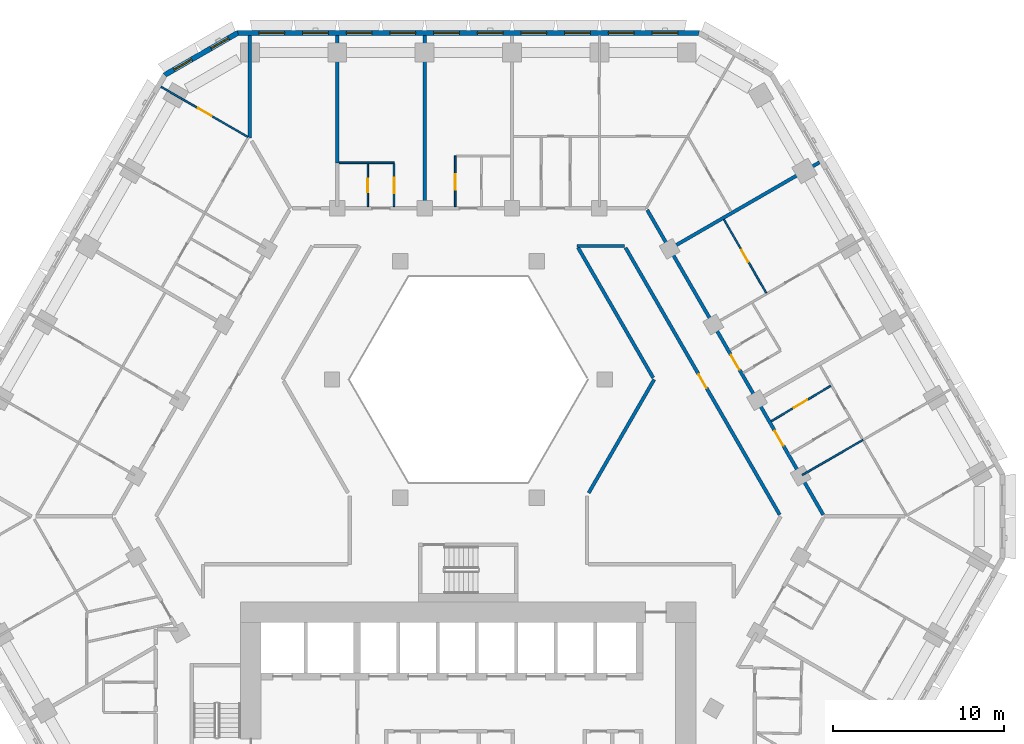
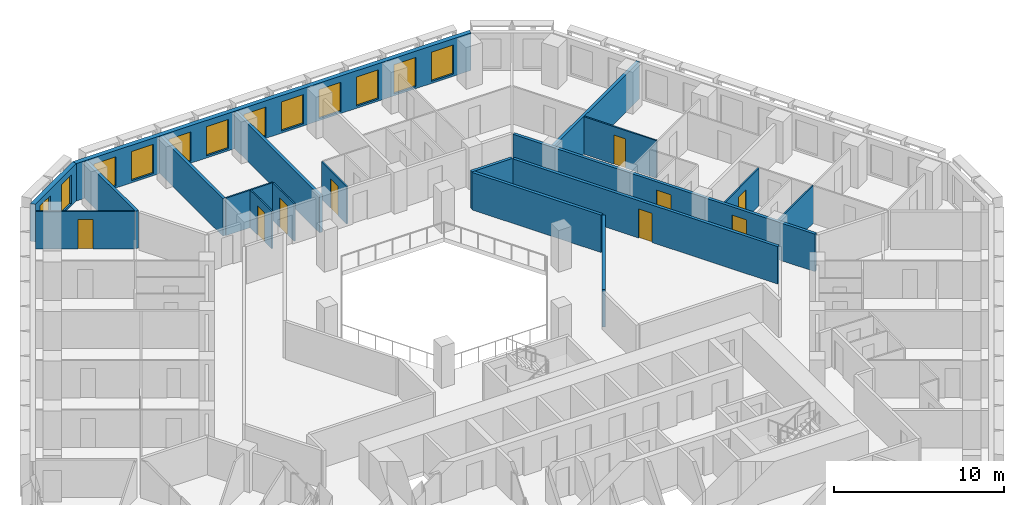
# One storey, part 10 of 21: 19 walls, 12 windows, 9 doors, 21 openings.
"""IFC4 building model written with IfcOpenShell, lengths in metres."""

from ifc_helpers import new_model, si_unit, direction, frame, frame_2d, origin, place, context, subcontext, project, spatial, polyline, rectangle, outline, extrude, material, layer, layer_set, type_object, element, fill, save


model = new_model("IFC4")

# Units and contexts
model_context = context("Model", 3, precision=1e-05, world=origin(), true_north=direction((0.0, 1.0)))
body_context = subcontext(model_context, "Body", "Model", "MODEL_VIEW")
ifc_project = project(units=[si_unit("LENGTHUNIT", "METRE"), si_unit("AREAUNIT", "SQUARE_METRE"), si_unit("VOLUMEUNIT", "CUBIC_METRE"), si_unit("PLANEANGLEUNIT", "RADIAN"), si_unit("MASSUNIT", "GRAM", prefix="KILO")], contexts=[model_context])

# Site, building, storey
site_placement = place(None, origin())
site = spatial("IfcSite", under=ifc_project, at=site_placement, CompositionType="ELEMENT")
building_placement = place(site_placement, origin())
building = spatial("IfcBuilding", under=site, at=building_placement, Name="Beryl Residences", CompositionType="ELEMENT")
storey_placement = place(building_placement, frame((0.0, 0.0, 29.39990234375)))
storey = spatial("IfcBuildingStorey", under=building, at=storey_placement, Name="L08", CompositionType="ELEMENT", Elevation=29.39990234375)

# Wall, openings, windows
ifc_material_1 = material(Name="Composite metal panel with mineral wool insulation")
ifc_layer_1 = layer(ifc_material_1, 0.300048828125)
ifc_layer_set_1 = layer_set([ifc_layer_1], Name="ES1 pale metal composite panel wall 300 mm")
wall_type_1 = type_object("IfcWallType", Name="ES1 pale metal composite panel wall 300 mm", PredefinedType="SOLIDWALL", material=ifc_layer_set_1)
wall_1_placement = place(storey_placement, frame((13.510009765625, 28.25, 0.0), z_axis=(0.0, 0.0, 1.0), x_axis=(-1.0, 0.0, 0.0)))
wall_1 = element("IfcWall", 1, at=wall_1_placement, inside=storey, type_object=wall_type_1, Name="ES1 external wall L08 N", PredefinedType="SOLIDWALL", context=body_context, shape_type="SweptSolid", body=[
    extrude(outline(polyline([(0.0, -0.14990234375), (27.02001953125, -0.14990234375), (26.939697265625, 0.14990234375), (0.080322265625, 0.14990234375), (0.0, -0.14990234375)])), origin(), (0.0, 0.0, 1.0), 2.7001953125),
])
opening_1_placement = place(wall_1_placement, frame((1.277099609375, 0.0, 0.14990234375)))
opening_1 = element("IfcOpeningElement", 2, at=opening_1_placement, cuts=wall_1, Name="Opening W1", PredefinedType="OPENING", context=body_context, shape_type="SweptSolid", body=[
    extrude(rectangle(XDim=1.5, YDim=2.10009765625, at=frame_2d((0.75, 1.050048828125))), frame((0.0, 0.159912109375, 0.0), z_axis=(0.0, -1.0, 0.0), x_axis=(1.0, 0.0, 0.0)), (0.0, 0.0, 1.0), 0.320068359375),
])
opening_2_placement = place(wall_1_placement, frame((3.8291015625, 0.0, 0.14990234375)))
opening_2 = element("IfcOpeningElement", 3, at=opening_2_placement, cuts=wall_1, Name="Opening W1", PredefinedType="OPENING", context=body_context, shape_type="SweptSolid", body=[
    extrude(rectangle(XDim=1.5, YDim=2.10009765625, at=frame_2d((0.75, 1.050048828125))), frame((0.0, 0.159912109375, 0.0), z_axis=(0.0, -1.0, 0.0), x_axis=(1.0, 0.0, 0.0)), (0.0, 0.0, 1.0), 0.320068359375),
])
opening_3_placement = place(wall_1_placement, frame((6.381103515625, 0.0, 0.14990234375)))
opening_3 = element("IfcOpeningElement", 4, at=opening_3_placement, cuts=wall_1, Name="Opening W1", PredefinedType="OPENING", context=body_context, shape_type="SweptSolid", body=[
    extrude(rectangle(XDim=1.5, YDim=2.10009765625, at=frame_2d((0.75, 1.050048828125))), frame((0.0, 0.159912109375, 0.0), z_axis=(0.0, -1.0, 0.0), x_axis=(1.0, 0.0, 0.0)), (0.0, 0.0, 1.0), 0.320068359375),
])
opening_4_placement = place(wall_1_placement, frame((8.93310546875, 0.0, 0.14990234375)))
opening_4 = element("IfcOpeningElement", 5, at=opening_4_placement, cuts=wall_1, Name="Opening W1", PredefinedType="OPENING", context=body_context, shape_type="SweptSolid", body=[
    extrude(rectangle(XDim=1.5, YDim=2.10009765625, at=frame_2d((0.75, 1.050048828125))), frame((0.0, 0.159912109375, 0.0), z_axis=(0.0, -1.0, 0.0), x_axis=(1.0, 0.0, 0.0)), (0.0, 0.0, 1.0), 0.320068359375),
])
opening_5_placement = place(wall_1_placement, frame((11.485107421875, 0.0, 0.14990234375)))
opening_5 = element("IfcOpeningElement", 6, at=opening_5_placement, cuts=wall_1, Name="Opening W1", PredefinedType="OPENING", context=body_context, shape_type="SweptSolid", body=[
    extrude(rectangle(XDim=1.5, YDim=2.10009765625, at=frame_2d((0.75, 1.050048828125))), frame((0.0, 0.159912109375, 0.0), z_axis=(0.0, -1.0, 0.0), x_axis=(1.0, 0.0, 0.0)), (0.0, 0.0, 1.0), 0.320068359375),
])
opening_6_placement = place(wall_1_placement, frame((14.037109375, 0.0, 0.14990234375)))
opening_6 = element("IfcOpeningElement", 7, at=opening_6_placement, cuts=wall_1, Name="Opening W1", PredefinedType="OPENING", context=body_context, shape_type="SweptSolid", body=[
    extrude(rectangle(XDim=1.5, YDim=2.10009765625, at=frame_2d((0.75, 1.050048828125))), frame((0.0, 0.159912109375, 0.0), z_axis=(0.0, -1.0, 0.0), x_axis=(1.0, 0.0, 0.0)), (0.0, 0.0, 1.0), 0.320068359375),
])
opening_7_placement = place(wall_1_placement, frame((16.589111328125, 0.0, 0.14990234375)))
opening_7 = element("IfcOpeningElement", 8, at=opening_7_placement, cuts=wall_1, Name="Opening W1", PredefinedType="OPENING", context=body_context, shape_type="SweptSolid", body=[
    extrude(rectangle(XDim=1.5, YDim=2.10009765625, at=frame_2d((0.75, 1.050048828125))), frame((0.0, 0.159912109375, 0.0), z_axis=(0.0, -1.0, 0.0), x_axis=(1.0, 0.0, 0.0)), (0.0, 0.0, 1.0), 0.320068359375),
])
opening_8_placement = place(wall_1_placement, frame((19.14111328125, 0.0, 0.14990234375)))
opening_8 = element("IfcOpeningElement", 9, at=opening_8_placement, cuts=wall_1, Name="Opening W1", PredefinedType="OPENING", context=body_context, shape_type="SweptSolid", body=[
    extrude(rectangle(XDim=1.5, YDim=2.10009765625, at=frame_2d((0.75, 1.050048828125))), frame((0.0, 0.159912109375, 0.0), z_axis=(0.0, -1.0, 0.0), x_axis=(1.0, 0.0, 0.0)), (0.0, 0.0, 1.0), 0.320068359375),
])
opening_9_placement = place(wall_1_placement, frame((21.693115234375, 0.0, 0.14990234375)))
opening_9 = element("IfcOpeningElement", 10, at=opening_9_placement, cuts=wall_1, Name="Opening W1", PredefinedType="OPENING", context=body_context, shape_type="SweptSolid", body=[
    extrude(rectangle(XDim=1.5, YDim=2.10009765625, at=frame_2d((0.75, 1.050048828125))), frame((0.0, 0.159912109375, 0.0), z_axis=(0.0, -1.0, 0.0), x_axis=(1.0, 0.0, 0.0)), (0.0, 0.0, 1.0), 0.320068359375),
])
opening_10_placement = place(wall_1_placement, frame((24.2451171875, 0.0, 0.14990234375)))
opening_10 = element("IfcOpeningElement", 11, at=opening_10_placement, cuts=wall_1, Name="Opening W1", PredefinedType="OPENING", context=body_context, shape_type="SweptSolid", body=[
    extrude(rectangle(XDim=1.5, YDim=2.10009765625, at=frame_2d((0.75, 1.050048828125))), frame((0.0, 0.159912109375, 0.0), z_axis=(0.0, -1.0, 0.0), x_axis=(1.0, 0.0, 0.0)), (0.0, 0.0, 1.0), 0.320068359375),
])
ifc_material_2 = material(Name="Aluminium and clear glass", Category="aluminium")
window_type_1 = type_object("IfcWindowType", Name="W1 cell window 1500 x 2100 mm", PartitioningType="SINGLE_PANEL", PredefinedType="WINDOW", material=ifc_material_2)
window_1_placement = place(opening_1_placement, origin())
window_1 = element("IfcWindow", 12, at=window_1_placement, inside=storey, type_object=window_type_1, Name="W1 window L08 N 1", OverallHeight=2.10009765625, OverallWidth=1.5, PartitioningType="SINGLE_PANEL", PredefinedType="WINDOW", context=body_context, shape_type="SweptSolid", body=[
    extrude(rectangle(XDim=1.5, YDim=2.10009765625, at=frame_2d((0.75, 1.050048828125))), frame((0.0, 0.030029296875, 0.0), z_axis=(0.0, -1.0, 0.0), x_axis=(1.0, 0.0, 0.0)), (0.0, 0.0, 1.0), 0.06005859375),
])
fill(opening_1, window_1)
window_2_placement = place(opening_2_placement, origin())
window_2 = element("IfcWindow", 13, at=window_2_placement, inside=storey, type_object=window_type_1, Name="W1 window L08 N 2", OverallHeight=2.10009765625, OverallWidth=1.5, PartitioningType="SINGLE_PANEL", PredefinedType="WINDOW", context=body_context, shape_type="SweptSolid", body=[
    extrude(rectangle(XDim=1.5, YDim=2.10009765625, at=frame_2d((0.75, 1.050048828125))), frame((0.0, 0.030029296875, 0.0), z_axis=(0.0, -1.0, 0.0), x_axis=(1.0, 0.0, 0.0)), (0.0, 0.0, 1.0), 0.06005859375),
])
fill(opening_2, window_2)
window_3_placement = place(opening_3_placement, origin())
window_3 = element("IfcWindow", 14, at=window_3_placement, inside=storey, type_object=window_type_1, Name="W1 window L08 N 3", OverallHeight=2.10009765625, OverallWidth=1.5, PartitioningType="SINGLE_PANEL", PredefinedType="WINDOW", context=body_context, shape_type="SweptSolid", body=[
    extrude(rectangle(XDim=1.5, YDim=2.10009765625, at=frame_2d((0.75, 1.050048828125))), frame((0.0, 0.030029296875, 0.0), z_axis=(0.0, -1.0, 0.0), x_axis=(1.0, 0.0, 0.0)), (0.0, 0.0, 1.0), 0.06005859375),
])
fill(opening_3, window_3)
window_4_placement = place(opening_4_placement, origin())
window_4 = element("IfcWindow", 15, at=window_4_placement, inside=storey, type_object=window_type_1, Name="W1 window L08 N 4", OverallHeight=2.10009765625, OverallWidth=1.5, PartitioningType="SINGLE_PANEL", PredefinedType="WINDOW", context=body_context, shape_type="SweptSolid", body=[
    extrude(rectangle(XDim=1.5, YDim=2.10009765625, at=frame_2d((0.75, 1.050048828125))), frame((0.0, 0.030029296875, 0.0), z_axis=(0.0, -1.0, 0.0), x_axis=(1.0, 0.0, 0.0)), (0.0, 0.0, 1.0), 0.06005859375),
])
fill(opening_4, window_4)
window_5_placement = place(opening_5_placement, origin())
window_5 = element("IfcWindow", 16, at=window_5_placement, inside=storey, type_object=window_type_1, Name="W1 window L08 N 5", OverallHeight=2.10009765625, OverallWidth=1.5, PartitioningType="SINGLE_PANEL", PredefinedType="WINDOW", context=body_context, shape_type="SweptSolid", body=[
    extrude(rectangle(XDim=1.5, YDim=2.10009765625, at=frame_2d((0.75, 1.050048828125))), frame((0.0, 0.030029296875, 0.0), z_axis=(0.0, -1.0, 0.0), x_axis=(1.0, 0.0, 0.0)), (0.0, 0.0, 1.0), 0.06005859375),
])
fill(opening_5, window_5)
window_6_placement = place(opening_6_placement, origin())
window_6 = element("IfcWindow", 17, at=window_6_placement, inside=storey, type_object=window_type_1, Name="W1 window L08 N 6", OverallHeight=2.10009765625, OverallWidth=1.5, PartitioningType="SINGLE_PANEL", PredefinedType="WINDOW", context=body_context, shape_type="SweptSolid", body=[
    extrude(rectangle(XDim=1.5, YDim=2.10009765625, at=frame_2d((0.75, 1.050048828125))), frame((0.0, 0.030029296875, 0.0), z_axis=(0.0, -1.0, 0.0), x_axis=(1.0, 0.0, 0.0)), (0.0, 0.0, 1.0), 0.06005859375),
])
fill(opening_6, window_6)
window_7_placement = place(opening_7_placement, origin())
window_7 = element("IfcWindow", 18, at=window_7_placement, inside=storey, type_object=window_type_1, Name="W1 window L08 N 7", OverallHeight=2.10009765625, OverallWidth=1.5, PartitioningType="SINGLE_PANEL", PredefinedType="WINDOW", context=body_context, shape_type="SweptSolid", body=[
    extrude(rectangle(XDim=1.5, YDim=2.10009765625, at=frame_2d((0.75, 1.050048828125))), frame((0.0, 0.030029296875, 0.0), z_axis=(0.0, -1.0, 0.0), x_axis=(1.0, 0.0, 0.0)), (0.0, 0.0, 1.0), 0.06005859375),
])
fill(opening_7, window_7)
window_8_placement = place(opening_8_placement, origin())
window_8 = element("IfcWindow", 19, at=window_8_placement, inside=storey, type_object=window_type_1, Name="W1 window L08 N 8", OverallHeight=2.10009765625, OverallWidth=1.5, PartitioningType="SINGLE_PANEL", PredefinedType="WINDOW", context=body_context, shape_type="SweptSolid", body=[
    extrude(rectangle(XDim=1.5, YDim=2.10009765625, at=frame_2d((0.75, 1.050048828125))), frame((0.0, 0.030029296875, 0.0), z_axis=(0.0, -1.0, 0.0), x_axis=(1.0, 0.0, 0.0)), (0.0, 0.0, 1.0), 0.06005859375),
])
fill(opening_8, window_8)
window_9_placement = place(opening_9_placement, origin())
window_9 = element("IfcWindow", 20, at=window_9_placement, inside=storey, type_object=window_type_1, Name="W1 window L08 N 9", OverallHeight=2.10009765625, OverallWidth=1.5, PartitioningType="SINGLE_PANEL", PredefinedType="WINDOW", context=body_context, shape_type="SweptSolid", body=[
    extrude(rectangle(XDim=1.5, YDim=2.10009765625, at=frame_2d((0.75, 1.050048828125))), frame((0.0, 0.030029296875, 0.0), z_axis=(0.0, -1.0, 0.0), x_axis=(1.0, 0.0, 0.0)), (0.0, 0.0, 1.0), 0.06005859375),
])
fill(opening_9, window_9)
window_10_placement = place(opening_10_placement, origin())
window_10 = element("IfcWindow", 21, at=window_10_placement, inside=storey, type_object=window_type_1, Name="W1 window L08 N 10", OverallHeight=2.10009765625, OverallWidth=1.5, PartitioningType="SINGLE_PANEL", PredefinedType="WINDOW", context=body_context, shape_type="SweptSolid", body=[
    extrude(rectangle(XDim=1.5, YDim=2.10009765625, at=frame_2d((0.75, 1.050048828125))), frame((0.0, 0.030029296875, 0.0), z_axis=(0.0, -1.0, 0.0), x_axis=(1.0, 0.0, 0.0)), (0.0, 0.0, 1.0), 0.06005859375),
])
fill(opening_10, window_10)

wall_2_placement = place(storey_placement, frame((-13.43505859375, 28.27001953125, 0.0), z_axis=(0.0, 0.0, 1.0), x_axis=(-0.866010750942, -0.50002537861, 0.0)))
wall_2 = element("IfcWall", 22, at=wall_2_placement, inside=storey, type_object=wall_type_1, Name="ES1 external wall L08 N-NW", PredefinedType="SOLIDWALL", context=body_context, shape_type="SweptSolid", body=[
    extrude(outline(polyline([(0.0, -0.14990234375), (4.999755859375, -0.14990234375), (4.91943359375, 0.14990234375), (0.080322265625, 0.14990234375), (0.0, -0.14990234375)])), origin(), (0.0, 0.0, 1.0), 2.7001953125),
])
opening_11_placement = place(wall_2_placement, frame((0.64990234375, 0.0, 0.14990234375)))
opening_11 = element("IfcOpeningElement", 23, at=opening_11_placement, cuts=wall_2, Name="Opening W2", PredefinedType="OPENING", context=body_context, shape_type="SweptSolid", body=[
    extrude(rectangle(XDim=1.199951171875, YDim=2.10009765625, at=frame_2d((0.60009765625, 1.050048828125))), frame((0.0, 0.159912109375, 0.0), z_axis=(0.0, -1.0, 0.0), x_axis=(1.0, 0.0, 0.0)), (0.0, 0.0, 1.0), 0.320068359375),
])
opening_12_placement = place(wall_2_placement, frame((3.14892578125, 0.0, 0.14990234375)))
opening_12 = element("IfcOpeningElement", 24, at=opening_12_placement, cuts=wall_2, Name="Opening W2", PredefinedType="OPENING", context=body_context, shape_type="SweptSolid", body=[
    extrude(rectangle(XDim=1.199951171875, YDim=2.10009765625, at=frame_2d((0.60009765625, 1.050048828125))), frame((0.0, 0.159912109375, 0.0), z_axis=(0.0, -1.0, 0.0), x_axis=(1.0, 0.0, 0.0)), (0.0, 0.0, 1.0), 0.320068359375),
])
ifc_material_3 = material(Name="Aluminium and clear glass", Category="aluminium")
window_type_2 = type_object("IfcWindowType", Name="W2 chamfer window 1200 x 2100 mm", PartitioningType="SINGLE_PANEL", PredefinedType="WINDOW", material=ifc_material_3)
window_11_placement = place(opening_11_placement, origin())
window_11 = element("IfcWindow", 25, at=window_11_placement, inside=storey, type_object=window_type_2, Name="W2 window L08 N-NW 1", OverallHeight=2.10009765625, OverallWidth=1.199951171875, PartitioningType="SINGLE_PANEL", PredefinedType="WINDOW", context=body_context, shape_type="SweptSolid", body=[
    extrude(rectangle(XDim=1.199951171875, YDim=2.10009765625, at=frame_2d((0.60009765625, 1.050048828125))), frame((0.0, 0.030029296875, 0.0), z_axis=(0.0, -1.0, 0.0), x_axis=(1.0, 0.0, 0.0)), (0.0, 0.0, 1.0), 0.06005859375),
])
fill(opening_11, window_11)
window_12_placement = place(opening_12_placement, origin())
window_12 = element("IfcWindow", 26, at=window_12_placement, inside=storey, type_object=window_type_2, Name="W2 window L08 N-NW 2", OverallHeight=2.10009765625, OverallWidth=1.199951171875, PartitioningType="SINGLE_PANEL", PredefinedType="WINDOW", context=body_context, shape_type="SweptSolid", body=[
    extrude(rectangle(XDim=1.199951171875, YDim=2.10009765625, at=frame_2d((0.60009765625, 1.050048828125))), frame((0.0, 0.030029296875, 0.0), z_axis=(0.0, -1.0, 0.0), x_axis=(1.0, 0.0, 0.0)), (0.0, 0.0, 1.0), 0.06005859375),
])
fill(opening_12, window_12)

# Wall, opening, door
ifc_material_4 = material(Name="Gypsum board partition on steel studs", Category="steel")
ifc_layer_2 = layer(ifc_material_4, 0.10009765625)
ifc_layer_set_2 = layer_set([ifc_layer_2], Name="PT1 partition 100 mm gypsum board on steel studs")
wall_type_2 = type_object("IfcWallType", Name="PT1 partition 100 mm gypsum board on steel studs", PredefinedType="PARTITIONING", material=ifc_layer_set_2)
wall_3_placement = place(storey_placement, frame((14.927978515625, 17.343994140625, 0.0), z_axis=(0.0, 0.0, 1.0), x_axis=(0.499881743012, -0.866093668724, 0.0)))
wall_3 = element("IfcWall", 27, at=wall_3_placement, inside=storey, type_object=wall_type_2, Name="Wall PT1 L08 003", PredefinedType="PARTITIONING", context=body_context, shape_type="SweptSolid", body=[
    extrude(rectangle(XDim=4.953369140625, YDim=0.10009765625, at=frame_2d((2.4765625, 0.0))), origin(), (0.0, 0.0, 1.0), 2.7001953125),
])
opening_13_placement = place(wall_3_placement, frame((2.052001953125, 0.0, 0.0)))
opening_13 = element("IfcOpeningElement", 28, at=opening_13_placement, cuts=wall_3, Name="Opening D0140", PredefinedType="OPENING", context=body_context, shape_type="SweptSolid", body=[
    extrude(rectangle(XDim=0.800048828125, YDim=2.10009765625, at=frame_2d((0.39990234375, 1.050048828125))), frame((0.0, 0.06005859375, 0.0), z_axis=(0.0, -1.0, 0.0), x_axis=(1.0, 0.0, 0.0)), (0.0, 0.0, 1.0), 0.1201171875),
])
ifc_material_5 = material(Name="Timber door leaf", Category="wood")
door_type_1 = type_object("IfcDoorType", Name="D3 bathroom door 800 x 2100 mm", OperationType="SINGLE_SWING_LEFT", PredefinedType="DOOR", material=ifc_material_5)
door_1_placement = place(opening_13_placement, origin())
door_1 = element("IfcDoor", 29, at=door_1_placement, inside=storey, type_object=door_type_1, Name="Door D0140 L08 001", OperationType="SINGLE_SWING_RIGHT", OverallHeight=2.10009765625, OverallWidth=0.800048828125, PredefinedType="DOOR", context=body_context, shape_type="SweptSolid", body=[
    extrude(rectangle(XDim=0.800048828125, YDim=2.10009765625, at=frame_2d((0.39990234375, 1.050048828125))), frame((0.0, 0.02490234375, 0.0), z_axis=(0.0, -1.0, 0.0), x_axis=(1.0, 0.0, 0.0)), (0.0, 0.0, 1.0), 0.050048828125),
])
fill(opening_13, door_1)

wall_4_placement = place(storey_placement, frame((-4.339111328125, 20.60888671875, 0.0), z_axis=(0.0, 0.0, 1.0), x_axis=(0.0, -1.0, 0.0)))
wall_4 = element("IfcWall", 30, at=wall_4_placement, inside=storey, type_object=wall_type_2, Name="Wall PT1 L08 007", PredefinedType="PARTITIONING", context=body_context, shape_type="SweptSolid", body=[
    extrude(rectangle(XDim=2.5087890625, YDim=0.10009765625, at=frame_2d((1.25439453125, 0.0))), origin(), (0.0, 0.0, 1.0), 2.7001953125),
])
opening_14_placement = place(wall_4_placement, frame((0.8291015625, 0.0, 0.0)))
opening_14 = element("IfcOpeningElement", 31, at=opening_14_placement, cuts=wall_4, Name="Opening D0153", PredefinedType="OPENING", context=body_context, shape_type="SweptSolid", body=[
    extrude(rectangle(XDim=0.89990234375, YDim=2.10009765625, at=frame_2d((0.449951171875, 1.050048828125))), frame((0.0, 0.06005859375, 0.0), z_axis=(0.0, -1.0, 0.0), x_axis=(1.0, 0.0, 0.0)), (0.0, 0.0, 1.0), 0.1201171875),
])
ifc_material_6 = material(Name="Timber door leaf", Category="wood")
door_type_2 = type_object("IfcDoorType", Name="D2 room door 900 x 2100 mm", OperationType="SINGLE_SWING_LEFT", PredefinedType="DOOR", material=ifc_material_6)
door_2_placement = place(opening_14_placement, origin())
door_2 = element("IfcDoor", 32, at=door_2_placement, inside=storey, type_object=door_type_2, Name="Door D0153 L08 001", OperationType="SINGLE_SWING_LEFT", OverallHeight=2.10009765625, OverallWidth=0.89990234375, PredefinedType="DOOR", context=body_context, shape_type="SweptSolid", body=[
    extrude(rectangle(XDim=0.89990234375, YDim=2.10009765625, at=frame_2d((0.449951171875, 1.050048828125))), frame((0.0, 0.02490234375, 0.0), z_axis=(0.0, -1.0, 0.0), x_axis=(1.0, 0.0, 0.0)), (0.0, 0.0, 1.0), 0.050048828125),
])
fill(opening_14, door_2)

wall_5_placement = place(storey_placement, frame((-17.955078125, 25.09912109375, 0.0), z_axis=(0.0, 0.0, 1.0), x_axis=(0.866069217599, -0.499924104568, 0.0)))
wall_5 = element("IfcWall", 33, at=wall_5_placement, inside=storey, type_object=wall_type_2, Name="Wall PT1 L08 023", PredefinedType="PARTITIONING", context=body_context, shape_type="SweptSolid", body=[
    extrude(rectangle(XDim=5.869140625, YDim=0.10009765625, at=frame_2d((2.9345703125, 0.0))), origin(), (0.0, 0.0, 1.0), 2.7001953125),
])
opening_15_placement = place(wall_5_placement, frame((2.510009765625, 0.0, 0.0)))
opening_15 = element("IfcOpeningElement", 34, at=opening_15_placement, cuts=wall_5, Name="Opening D0161", PredefinedType="OPENING", context=body_context, shape_type="SweptSolid", body=[
    extrude(rectangle(XDim=0.89990234375, YDim=2.10009765625, at=frame_2d((0.449951171875, 1.050048828125))), frame((0.0, 0.06005859375, 0.0), z_axis=(0.0, -1.0, 0.0), x_axis=(1.0, 0.0, 0.0)), (0.0, 0.0, 1.0), 0.1201171875),
])
door_3_placement = place(opening_15_placement, origin())
door_3 = element("IfcDoor", 35, at=door_3_placement, inside=storey, type_object=door_type_2, Name="Door D0161 L08 001", OperationType="SINGLE_SWING_LEFT", OverallHeight=2.10009765625, OverallWidth=0.89990234375, PredefinedType="DOOR", context=body_context, shape_type="SweptSolid", body=[
    extrude(rectangle(XDim=0.89990234375, YDim=2.10009765625, at=frame_2d((0.449951171875, 1.050048828125))), frame((0.0, 0.02490234375, 0.0), z_axis=(0.0, -1.0, 0.0), x_axis=(1.0, 0.0, 0.0)), (0.0, 0.0, 1.0), 0.050048828125),
])
fill(opening_15, door_3)

# Wall
wall_6_placement = place(storey_placement, frame((-7.556884765625, 20.659912109375, 0.0), z_axis=(0.0, 0.0, 1.0), x_axis=(1.0, 0.0, 0.0)))
element("IfcWall", 36, at=wall_6_placement, inside=storey, type_object=wall_type_2, Name="Wall PT1 L08 032", PredefinedType="PARTITIONING", context=body_context, shape_type="SweptSolid", body=[
    extrude(rectangle(XDim=3.216796875, YDim=0.10009765625, at=frame_2d((1.6083984375, 0.0))), origin(), (0.0, 0.0, 1.0), 2.7001953125),
])

# Wall, opening, door
wall_7_placement = place(storey_placement, frame((-5.87109375, 18.10009765625, 0.0), z_axis=(0.0, 0.0, 1.0), x_axis=(0.0, 1.0, 0.0)))
wall_7 = element("IfcWall", 37, at=wall_7_placement, inside=storey, type_object=wall_type_2, Name="Wall PT1 L08 053", PredefinedType="PARTITIONING", context=body_context, shape_type="SweptSolid", body=[
    extrude(rectangle(XDim=2.510009765625, YDim=0.10009765625, at=frame_2d((1.2548828125, 0.0))), origin(), (0.0, 0.0, 1.0), 2.7001953125),
])
opening_16_placement = place(wall_7_placement, frame((0.830078125, 0.0, 0.0)))
opening_16 = element("IfcOpeningElement", 38, at=opening_16_placement, cuts=wall_7, Name="Opening D0154", PredefinedType="OPENING", context=body_context, shape_type="SweptSolid", body=[
    extrude(rectangle(XDim=0.800048828125, YDim=2.10009765625, at=frame_2d((0.39990234375, 1.050048828125))), frame((0.0, 0.06005859375, 0.0), z_axis=(0.0, -1.0, 0.0), x_axis=(1.0, 0.0, 0.0)), (0.0, 0.0, 1.0), 0.1201171875),
])
door_4_placement = place(opening_16_placement, origin())
door_4 = element("IfcDoor", 39, at=door_4_placement, inside=storey, type_object=door_type_1, Name="Door D0154 L08 001", OperationType="SINGLE_SWING_RIGHT", OverallHeight=2.10009765625, OverallWidth=0.800048828125, PredefinedType="DOOR", context=body_context, shape_type="SweptSolid", body=[
    extrude(rectangle(XDim=0.800048828125, YDim=2.10009765625, at=frame_2d((0.39990234375, 1.050048828125))), frame((0.0, 0.02490234375, 0.0), z_axis=(0.0, -1.0, 0.0), x_axis=(1.0, 0.0, 0.0)), (0.0, 0.0, 1.0), 0.050048828125),
])
fill(opening_16, door_4)

wall_8_placement = place(storey_placement, frame((-0.76708984375, 18.10009765625, 0.0), z_axis=(0.0, 0.0, 1.0), x_axis=(0.0, 1.0, 0.0)))
wall_8 = element("IfcWall", 40, at=wall_8_placement, inside=storey, type_object=wall_type_2, Name="Wall PT1 L08 055", PredefinedType="PARTITIONING", context=body_context, shape_type="SweptSolid", body=[
    extrude(rectangle(XDim=2.958984375, YDim=0.10009765625, at=frame_2d((1.4794921875, 0.0))), origin(), (0.0, 0.0, 1.0), 2.7001953125),
])
opening_17_placement = place(wall_8_placement, frame((0.97998046875, 0.0, 0.0)))
opening_17 = element("IfcOpeningElement", 41, at=opening_17_placement, cuts=wall_8, Name="Opening D0150", PredefinedType="OPENING", context=body_context, shape_type="SweptSolid", body=[
    extrude(rectangle(XDim=0.89990234375, YDim=2.10009765625, at=frame_2d((0.449951171875, 1.050048828125))), frame((0.0, 0.06005859375, 0.0), z_axis=(0.0, -1.0, 0.0), x_axis=(1.0, 0.0, 0.0)), (0.0, 0.0, 1.0), 0.1201171875),
])
door_5_placement = place(opening_17_placement, origin())
door_5 = element("IfcDoor", 42, at=door_5_placement, inside=storey, type_object=door_type_2, Name="Door D0150 L08 001", OperationType="SINGLE_SWING_RIGHT", OverallHeight=2.10009765625, OverallWidth=0.89990234375, PredefinedType="DOOR", context=body_context, shape_type="SweptSolid", body=[
    extrude(rectangle(XDim=0.89990234375, YDim=2.10009765625, at=frame_2d((0.449951171875, 1.050048828125))), frame((0.0, 0.02490234375, 0.0), z_axis=(0.0, -1.0, 0.0), x_axis=(1.0, 0.0, 0.0)), (0.0, 0.0, 1.0), 0.050048828125),
])
fill(opening_17, door_5)

# Wall
wall_9_placement = place(storey_placement, frame((19.5029296875, 2.4208984375, 0.0), z_axis=(0.0, 0.0, 1.0), x_axis=(0.866083434238, 0.499899474834, 0.0)))
element("IfcWall", 43, at=wall_9_placement, inside=storey, type_object=wall_type_2, Name="Wall PT1 L08 062", PredefinedType="PARTITIONING", context=body_context, shape_type="SweptSolid", body=[
    extrude(rectangle(XDim=4.098876953125, YDim=0.10009765625, at=frame_2d((2.04931640625, 0.0))), origin(), (0.0, 0.0, 1.0), 2.7001953125),
])

# Wall, opening, door
wall_10_placement = place(storey_placement, frame((17.68798828125, 5.56298828125, 0.0), z_axis=(0.0, 0.0, 1.0), x_axis=(0.860050619918, 0.510208713351, 0.0)))
wall_10 = element("IfcWall", 44, at=wall_10_placement, inside=storey, type_object=wall_type_2, Name="Wall PT1 L08 067", PredefinedType="PARTITIONING", context=body_context, shape_type="SweptSolid", body=[
    extrude(rectangle(XDim=4.051025390625, YDim=0.10009765625, at=frame_2d((2.025390625, 0.0))), origin(), (0.0, 0.0, 1.0), 2.7001953125),
])
opening_18_placement = place(wall_10_placement, frame((1.550048828125, 0.0, 0.0)))
opening_18 = element("IfcOpeningElement", 45, at=opening_18_placement, cuts=wall_10, Name="Opening D0130", PredefinedType="OPENING", context=body_context, shape_type="SweptSolid", body=[
    extrude(rectangle(XDim=0.89990234375, YDim=2.10009765625, at=frame_2d((0.449951171875, 1.050048828125))), frame((0.0, 0.06005859375, 0.0), z_axis=(0.0, -1.0, 0.0), x_axis=(1.0, 0.0, 0.0)), (0.0, 0.0, 1.0), 0.1201171875),
])
door_6_placement = place(opening_18_placement, origin())
door_6 = element("IfcDoor", 46, at=door_6_placement, inside=storey, type_object=door_type_2, Name="Door D0130 L08 001", OperationType="SINGLE_SWING_RIGHT", OverallHeight=2.10009765625, OverallWidth=0.89990234375, PredefinedType="DOOR", context=body_context, shape_type="SweptSolid", body=[
    extrude(rectangle(XDim=0.89990234375, YDim=2.10009765625, at=frame_2d((0.449951171875, 1.050048828125))), frame((0.0, 0.02490234375, 0.0), z_axis=(0.0, -1.0, 0.0), x_axis=(1.0, 0.0, 0.0)), (0.0, 0.0, 1.0), 0.050048828125),
])
fill(opening_18, door_6)

# Walls
ifc_material_7 = material(Name="Acoustic double stud gypsum board wall")
ifc_layer_3 = layer(ifc_material_7, 0.199951171875)
ifc_layer_set_3 = layer_set([ifc_layer_3], Name="PT3 party wall 200 mm acoustic double stud")
wall_type_3 = type_object("IfcWallType", Name="PT3 party wall 200 mm acoustic double stud", PredefinedType="PARTITIONING", material=ifc_layer_set_3)
wall_11_placement = place(storey_placement, frame((-7.656982421875, 28.10009765625, 0.0), z_axis=(0.0, 0.0, 1.0), x_axis=(0.0, -1.0, 0.0)))
element("IfcWall", 47, at=wall_11_placement, inside=storey, type_object=wall_type_3, Name="Wall PT3 L08 003", PredefinedType="PARTITIONING", context=body_context, shape_type="SweptSolid", body=[
    extrude(rectangle(XDim=7.440185546875, YDim=0.199951171875, at=frame_2d((3.72021484375, 0.0))), origin(), (0.0, 0.0, 1.0), 2.7001953125),
])
wall_12_placement = place(storey_placement, frame((-2.552978515625, 28.10009765625, 0.0), z_axis=(0.0, 0.0, 1.0), x_axis=(0.0, -1.0, 0.0)))
element("IfcWall", 48, at=wall_12_placement, inside=storey, type_object=wall_type_3, Name="Wall PT3 L08 005", PredefinedType="PARTITIONING", context=body_context, shape_type="SweptSolid", body=[
    extrude(rectangle(XDim=10.0, YDim=0.199951171875, at=frame_2d((5.0, 0.0))), origin(), (0.0, 0.0, 1.0), 2.7001953125),
])
wall_13_placement = place(storey_placement, frame((-12.760986328125, 22.10302734375, 0.0), z_axis=(0.0, 0.0, 1.0), x_axis=(0.0, 1.0, 0.0)))
element("IfcWall", 49, at=wall_13_placement, inside=storey, type_object=wall_type_3, Name="Wall PT3 L08 021", PredefinedType="PARTITIONING", context=body_context, shape_type="SweptSolid", body=[
    extrude(rectangle(XDim=5.9970703125, YDim=0.199951171875, at=frame_2d((2.99853515625, 0.0))), origin(), (0.0, 0.0, 1.0), 2.7001953125),
])
wall_14_placement = place(storey_placement, frame((11.846923828125, 15.680908203125, 0.0), z_axis=(0.0, 0.0, 1.0), x_axis=(0.866022959057, 0.500004234368, 0.0)))
element("IfcWall", 50, at=wall_14_placement, inside=storey, type_object=wall_type_3, Name="Wall PT3 L08 026", PredefinedType="PARTITIONING", context=body_context, shape_type="SweptSolid", body=[
    extrude(rectangle(XDim=10.0, YDim=0.199951171875, at=frame_2d((5.0, 0.0))), origin(), (0.0, 0.0, 1.0), 2.7001953125),
])
ifc_material_8 = material(Name="Double stud gypsum board wall")
ifc_layer_4 = layer(ifc_material_8, 0.199951171875)
ifc_layer_set_4 = layer_set([ifc_layer_4], Name="PT4 corridor wall 200 mm double stud")
wall_type_4 = type_object("IfcWallType", Name="PT4 corridor wall 200 mm double stud", PredefinedType="PARTITIONING", material=ifc_layer_set_4)
wall_15_placement = place(storey_placement, frame((6.408935546875, 15.699951171875, 0.0), z_axis=(0.0, 0.0, 1.0), x_axis=(0.499930377127, -0.866065596838, 0.0)))
element("IfcWall", 51, at=wall_15_placement, inside=storey, type_object=wall_type_4, Name="Wall PT4 L08 004", PredefinedType="PARTITIONING", context=body_context, shape_type="SweptSolid", body=[
    extrude(rectangle(XDim=8.775146484375, YDim=0.199951171875, at=frame_2d((4.3876953125, 0.0))), origin(), (0.0, 0.0, 1.0), 2.7001953125),
])

# Wall, opening, door
wall_16_placement = place(storey_placement, frame((9.179931640625, 15.699951171875, 0.0), z_axis=(0.0, 0.0, 1.0), x_axis=(0.500003652032, -0.866023295272, 0.0)))
wall_16 = element("IfcWall", 52, at=wall_16_placement, inside=storey, type_object=wall_type_4, Name="Wall PT4 L08 005", PredefinedType="PARTITIONING", context=body_context, shape_type="SweptSolid", body=[
    extrude(rectangle(XDim=18.011962890625, YDim=0.199951171875, at=frame_2d((9.005859375, 0.0))), origin(), (0.0, 0.0, 1.0), 2.7001953125),
])
opening_19_placement = place(wall_16_placement, frame((8.555908203125, 0.0, 0.0)))
opening_19 = element("IfcOpeningElement", 53, at=opening_19_placement, cuts=wall_16, Name="Opening D0182", PredefinedType="OPENING", context=body_context, shape_type="SweptSolid", body=[
    extrude(rectangle(XDim=0.89990234375, YDim=2.10009765625, at=frame_2d((0.449951171875, 1.050048828125))), frame((0.0, 0.10986328125, 0.0), z_axis=(0.0, -1.0, 0.0), x_axis=(1.0, 0.0, 0.0)), (0.0, 0.0, 1.0), 0.219970703125),
])
door_7_placement = place(opening_19_placement, origin())
door_7 = element("IfcDoor", 54, at=door_7_placement, inside=storey, type_object=door_type_2, Name="Door D0182 L08 001", OperationType="SINGLE_SWING_RIGHT", OverallHeight=2.10009765625, OverallWidth=0.89990234375, PredefinedType="DOOR", context=body_context, shape_type="SweptSolid", body=[
    extrude(rectangle(XDim=0.89990234375, YDim=2.10009765625, at=frame_2d((0.449951171875, 1.050048828125))), frame((0.0, 0.02490234375, 0.0), z_axis=(0.0, -1.0, 0.0), x_axis=(1.0, 0.0, 0.0)), (0.0, 0.0, 1.0), 0.050048828125),
])
fill(opening_19, door_7)

# Wall, openings, doors
wall_17_placement = place(storey_placement, frame((10.449951171875, 17.89990234375, 0.0), z_axis=(0.0, 0.0, 1.0), x_axis=(0.500034352617, -0.866005569383, 0.0)))
wall_17 = element("IfcWall", 55, at=wall_17_placement, inside=storey, type_object=wall_type_4, Name="Wall PT4 L08 006", PredefinedType="PARTITIONING", context=body_context, shape_type="SweptSolid", body=[
    extrude(rectangle(XDim=20.552734375, YDim=0.199951171875, at=frame_2d((10.2763671875, 0.0))), origin(), (0.0, 0.0, 1.0), 2.7001953125),
])
opening_20_placement = place(wall_17_placement, frame((14.903076171875, 0.0, 0.0)))
opening_20 = element("IfcOpeningElement", 56, at=opening_20_placement, cuts=wall_17, Name="Opening D0128", PredefinedType="OPENING", context=body_context, shape_type="SweptSolid", body=[
    extrude(rectangle(XDim=1.0, YDim=2.10009765625, at=frame_2d((0.5, 1.050048828125))), frame((0.0, 0.10986328125, 0.0), z_axis=(0.0, -1.0, 0.0), x_axis=(1.0, 0.0, 0.0)), (0.0, 0.0, 1.0), 0.219970703125),
])
opening_21_placement = place(wall_17_placement, frame((9.77490234375, 0.0, 0.0)))
opening_21 = element("IfcOpeningElement", 57, at=opening_21_placement, cuts=wall_17, Name="Opening D0135", PredefinedType="OPENING", context=body_context, shape_type="SweptSolid", body=[
    extrude(rectangle(XDim=1.0, YDim=2.10009765625, at=frame_2d((0.5, 1.050048828125))), frame((0.0, 0.10986328125, 0.0), z_axis=(0.0, -1.0, 0.0), x_axis=(1.0, 0.0, 0.0)), (0.0, 0.0, 1.0), 0.219970703125),
])
ifc_material_9 = material(Name="Timber door leaf", Category="wood")
door_type_3 = type_object("IfcDoorType", Name="D1 flat entrance door 1000 x 2100 mm", OperationType="SINGLE_SWING_LEFT", PredefinedType="DOOR", material=ifc_material_9)
door_8_placement = place(opening_20_placement, origin())
door_8 = element("IfcDoor", 58, at=door_8_placement, inside=storey, type_object=door_type_3, Name="Door D0128 L08 001", OperationType="SINGLE_SWING_RIGHT", OverallHeight=2.10009765625, OverallWidth=1.0, PredefinedType="DOOR", context=body_context, shape_type="SweptSolid", body=[
    extrude(rectangle(XDim=1.0, YDim=2.10009765625, at=frame_2d((0.5, 1.050048828125))), frame((0.0, 0.02490234375, 0.0), z_axis=(0.0, -1.0, 0.0), x_axis=(1.0, 0.0, 0.0)), (0.0, 0.0, 1.0), 0.050048828125),
])
fill(opening_20, door_8)
door_9_placement = place(opening_21_placement, origin())
door_9 = element("IfcDoor", 59, at=door_9_placement, inside=storey, type_object=door_type_3, Name="Door D0135 L08 001", OperationType="SINGLE_SWING_LEFT", OverallHeight=2.10009765625, OverallWidth=1.0, PredefinedType="DOOR", context=body_context, shape_type="SweptSolid", body=[
    extrude(rectangle(XDim=1.0, YDim=2.10009765625, at=frame_2d((0.5, 1.050048828125))), frame((0.0, 0.02490234375, 0.0), z_axis=(0.0, -1.0, 0.0), x_axis=(1.0, 0.0, 0.0)), (0.0, 0.0, 1.0), 0.050048828125),
])
fill(opening_21, door_9)

# Walls
wall_18_placement = place(storey_placement, frame((6.35107421875, 15.800048828125, 0.0), z_axis=(0.0, 0.0, 1.0), x_axis=(1.0, 0.0, 0.0)))
element("IfcWall", 60, at=wall_18_placement, inside=storey, type_object=wall_type_4, Name="Wall PT4 L08 016", PredefinedType="PARTITIONING", context=body_context, shape_type="SweptSolid", body=[
    extrude(rectangle(XDim=2.77099609375, YDim=0.199951171875, at=frame_2d((1.385498046875, 0.0))), origin(), (0.0, 0.0, 1.0), 2.7001953125),
])
wall_19_placement = place(storey_placement, frame((7.028076171875, 1.373046875, 0.0), z_axis=(0.0, 0.0, 1.0), x_axis=(0.49998574534, 0.86603363356, 0.0)))
element("IfcWall", 61, at=wall_19_placement, inside=storey, type_object=wall_type_4, Name="Wall PT4 L08 018", PredefinedType="PARTITIONING", context=body_context, shape_type="SweptSolid", body=[
    extrude(rectangle(XDim=7.652099609375, YDim=0.199951171875, at=frame_2d((3.826171875, 0.0))), origin(), (0.0, 0.0, 1.0), 2.7001953125),
])

save(model, "model.ifc")
